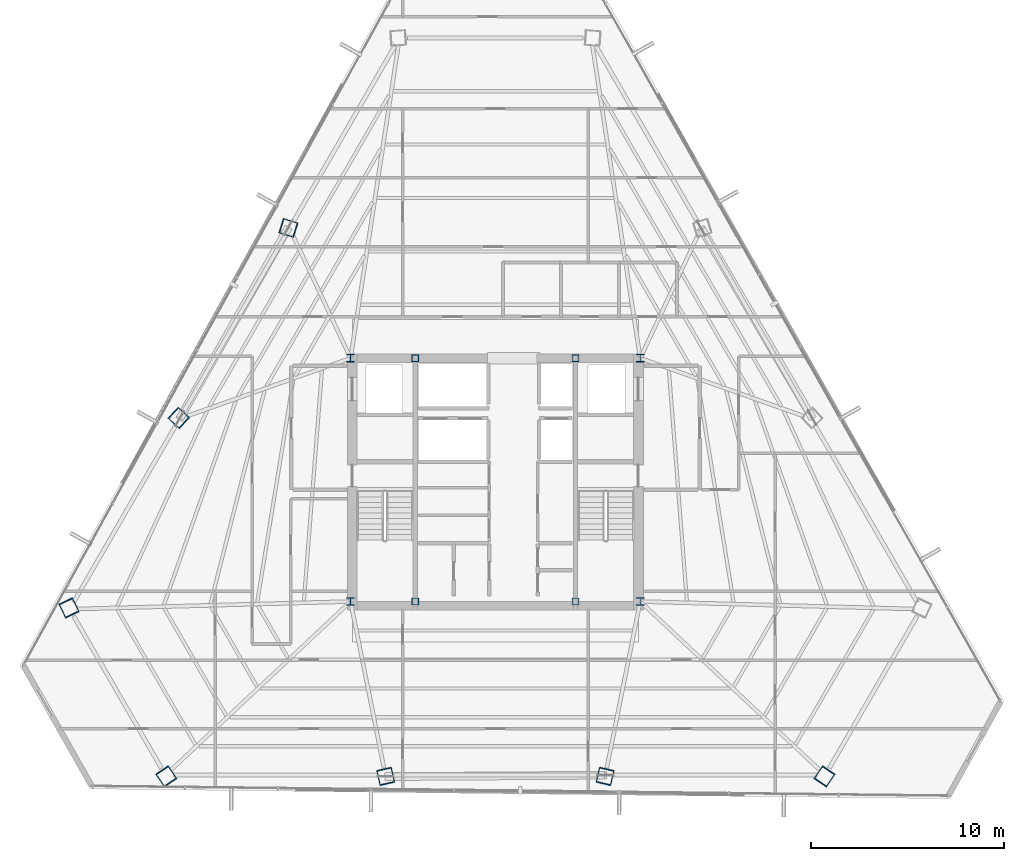
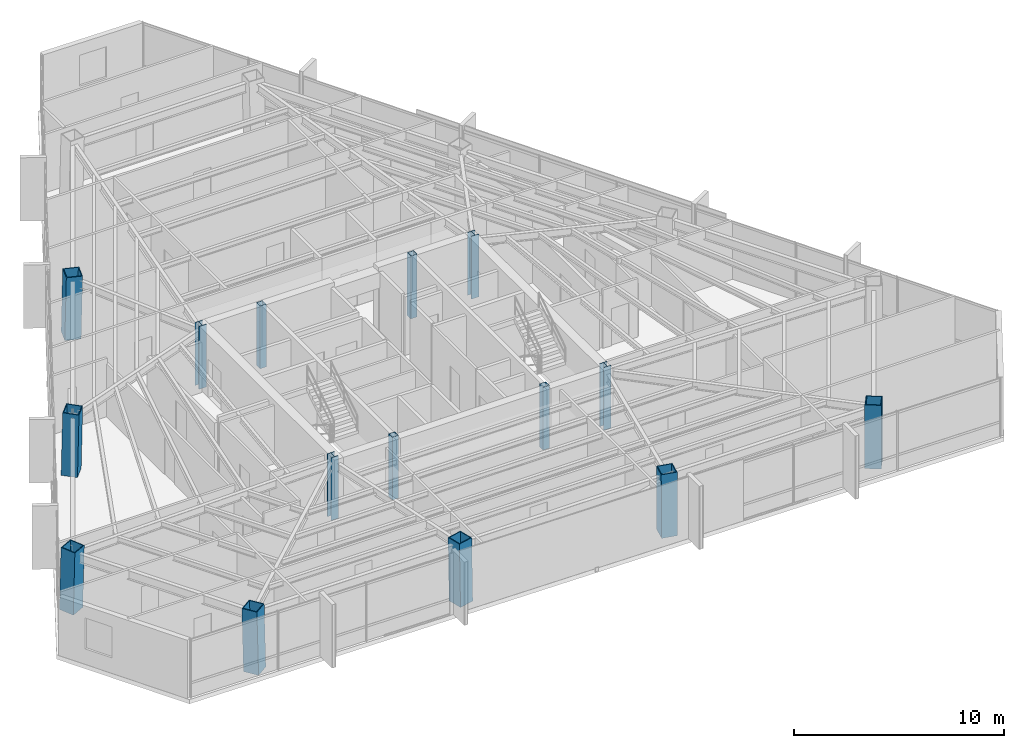
# One storey, part 1 of 42: 15 columns.
"""IFC4 building model written with IfcOpenShell, lengths in metres."""

from ifc_helpers import new_model, si_unit, direction, frame, origin, origin_2d, place, context, subcontext, project, spatial, hollow_rectangle, i_section, extrude, source, transform, mapped, material, material_profile, profile_set, type_object, type_shapes, element, save


model = new_model("IFC4")

# Units and contexts
model_context = context("Model", 3, precision=1e-05, world=origin(), true_north=direction((0.0, 1.0)))
body_context = subcontext(model_context, "Body", "Model", "MODEL_VIEW")
ifc_project = project(units=[si_unit("LENGTHUNIT", "METRE"), si_unit("AREAUNIT", "SQUARE_METRE"), si_unit("VOLUMEUNIT", "CUBIC_METRE"), si_unit("PLANEANGLEUNIT", "RADIAN"), si_unit("MASSUNIT", "GRAM", prefix="KILO")], contexts=[model_context])

# Site, building, storey
site_placement = place(None, origin())
site = spatial("IfcSite", under=ifc_project, at=site_placement, CompositionType="ELEMENT")
building_placement = place(site_placement, origin())
building = spatial("IfcBuilding", under=site, at=building_placement, Name="Caelisora Broadcast Tower", CompositionType="ELEMENT")
storey_placement = place(building_placement, frame((0.0, 0.0, 205.949951171875)))
storey = spatial("IfcBuildingStorey", under=building, at=storey_placement, Name="L54", CompositionType="ELEMENT", Elevation=205.949951171875)

# Columns
ifc_material_1 = material(Name="Steel Grade 350 (AS/NZS 3679.2)", Category="steel")
ifc_material_profile_1 = material_profile(ifc_material_1, i_section(OverallWidth=0.39990234375, OverallDepth=0.39990234375, WebThickness=0.02001953125, FlangeThickness=0.031982421875, at=origin_2d()), Name="Steel Grade 350 (AS/NZS 3679.2)")
ifc_profile_set_1 = profile_set([ifc_material_profile_1], Name="Steel Grade 350 (AS/NZS 3679.2)")
column_type_1 = type_object("IfcColumnType", Name="CC02", PredefinedType="COLUMN", material=ifc_profile_set_1)
shared_shape_1 = source(origin(), body_context, "Body", "SweptSolid", [
    extrude(i_section(OverallWidth=0.39990234375, OverallDepth=0.39990234375, WebThickness=0.02001953125, FlangeThickness=0.031982421875, at=origin_2d()), origin(), (0.0, 0.0, 1.0), 3.650146484375),
])
type_shapes(column_type_1, [shared_shape_1])
for number, where, z_axis, x_axis, name in (
    (1, (30.5, 17.39990234375, 0.0), (0.0, 0.0, 1.0), (1.0, 0.0, 0.0), "L54 column CC02"),
    (2, (45.5, 17.39990234375, 0.0), (0.0, 0.0, 1.0), (1.0, 0.0, 0.0), "L54 column CC02"),
    (3, (45.5, 30.0, 0.0), (0.0, 0.0, 1.0), (1.0, 0.0, 0.0), "L54 column CC02"),
    (4, (30.5, 30.0, 0.0), (0.0, 0.0, 1.0), (1.0, 0.0, 0.0), "L54 column CC02"),
):
    element("IfcColumn", number, at=place(storey_placement, frame(where, z_axis=z_axis, x_axis=x_axis)), inside=storey, type_object=column_type_1, Name=name, PredefinedType="COLUMN", context=body_context, shape_type="MappedRepresentation", body=[
        mapped(shared_shape_1, transform((0.0, 0.0, 0.0), scale=1.0)),
    ])
ifc_material_2 = material(Name="Steel Grade 350 L15 (AS/NZS 3678)", Category="steel")
ifc_material_profile_2 = material_profile(ifc_material_2, hollow_rectangle(XDim=0.800048828125, YDim=0.800048828125, WallThickness=0.044921875, at=origin_2d()), Name="Steel Grade 350 L15 (AS/NZS 3678)")
ifc_profile_set_2 = profile_set([ifc_material_profile_2], Name="Steel Grade 350 L15 (AS/NZS 3678)")
column_type_2 = type_object("IfcColumnType", Name="MC05", PredefinedType="COLUMN", material=ifc_profile_set_2)
shared_shape_2 = source(origin(), body_context, "Body", "SweptSolid", [
    extrude(hollow_rectangle(XDim=0.800048828125, YDim=0.800048828125, WallThickness=0.044921875, at=origin_2d()), origin(), (0.0, 0.0, 1.0), 3.65087890625),
])
for number, where, z_axis, x_axis, name in (
    (5, (27.270751953125, 36.751220703125, 0.0), (0.019392689002, -0.006085292066, 0.99979342508), (0.299398805134, 0.954128060317, 0.0), "L54 column MC05"),
    (6, (21.592529296875, 26.916259765625, 0.0), (0.014912316331, -0.013775502979, 0.999793907933), (0.678553674548, 0.734550822447, 0.0), "L54 column MC05"),
    (7, (32.322021484375, 8.33251953125, 0.0), (-0.004547252648, 0.019793923291, 0.999793740276), (-0.974612694662, -0.223897510936, 0.0), "L54 column MC05"),
    (8, (43.677978515625, 8.33251953125, 0.0), (0.004547252648, 0.019793923291, 0.999793740276), (-0.974612694662, 0.223897510936, 0.0), "L54 column MC05"),
):
    element("IfcColumn", number, at=place(storey_placement, frame(where, z_axis=z_axis, x_axis=x_axis)), inside=storey, type_object=column_type_2, Name=name, PredefinedType="COLUMN", context=body_context, shape_type="MappedRepresentation", body=[
        mapped(shared_shape_2, transform((0.0, 0.0, 0.0), scale=1.0)),
    ])
ifc_material_3 = material(Name="Steel Grade 350 (AS/NZS 1163 C350L0)", Category="steel")
ifc_material_profile_3 = material_profile(ifc_material_3, hollow_rectangle(XDim=0.35009765625, YDim=0.35009765625, WallThickness=0.01611328125, at=origin_2d()), Name="Steel Grade 350 (AS/NZS 1163 C350L0)")
ifc_profile_set_3 = profile_set([ifc_material_profile_3], Name="Steel Grade 350 (AS/NZS 1163 C350L0)")
column_type_3 = type_object("IfcColumnType", Name="CC07", PredefinedType="COLUMN", material=ifc_profile_set_3)
shared_shape_3 = source(origin(), body_context, "Body", "SweptSolid", [
    extrude(hollow_rectangle(XDim=0.35009765625, YDim=0.35009765625, WallThickness=0.01611328125, at=origin_2d()), origin(), (0.0, 0.0, 1.0), 3.650146484375),
])
type_shapes(column_type_3, [shared_shape_3])
for number, where, z_axis, x_axis, name in (
    (9, (33.85009765625, 17.39990234375, 0.0), (0.0, 0.0, 1.0), (1.0, 0.0, 0.0), "L54 column CC07"),
    (10, (42.14990234375, 17.39990234375, 0.0), (0.0, 0.0, 1.0), (1.0, 0.0, 0.0), "L54 column CC07"),
    (11, (33.85009765625, 30.0, 0.0), (0.0, 0.0, 1.0), (1.0, 0.0, 0.0), "L54 column CC07"),
    (12, (42.14990234375, 30.0, 0.0), (0.0, 0.0, 1.0), (1.0, 0.0, 0.0), "L54 column CC07"),
):
    element("IfcColumn", number, at=place(storey_placement, frame(where, z_axis=z_axis, x_axis=x_axis)), inside=storey, type_object=column_type_3, Name=name, PredefinedType="COLUMN", context=body_context, shape_type="MappedRepresentation", body=[
        mapped(shared_shape_3, transform((0.0, 0.0, 0.0), scale=1.0)),
    ])
shared_shape_4 = source(origin(), body_context, "Body", "SweptSolid", [
    extrude(hollow_rectangle(XDim=0.800048828125, YDim=0.800048828125, WallThickness=0.044921875, at=origin_2d()), origin(), (0.0, 0.0, 1.0), 3.651123046875),
])
type_shapes(column_type_2, [shared_shape_2, shared_shape_4])
for number, where, z_axis, x_axis, name in (
    (13, (15.91455078125, 17.08154296875, 0.0), (0.010364224337, -0.0215977062, 0.999713019792), (0.901566609123, 0.432640323264, 0.0), "L54 column MC05"),
    (14, (20.965576171875, 8.33251953125, 0.0), (-0.013440068782, 0.019792340097, 0.999713772949), (-0.827290216258, -0.561774775229, 0.0), "L54 column MC05"),
    (15, (55.034423828125, 8.33251953125, 0.0), (0.013440068782, 0.019792340097, 0.999713772949), (-0.827290216258, 0.561774775229, 0.0), "L54 column MC05"),
):
    element("IfcColumn", number, at=place(storey_placement, frame(where, z_axis=z_axis, x_axis=x_axis)), inside=storey, type_object=column_type_2, Name=name, PredefinedType="COLUMN", context=body_context, shape_type="MappedRepresentation", body=[
        mapped(shared_shape_4, transform((0.0, 0.0, 0.0), scale=1.0)),
    ])

save(model, "model.ifc")
